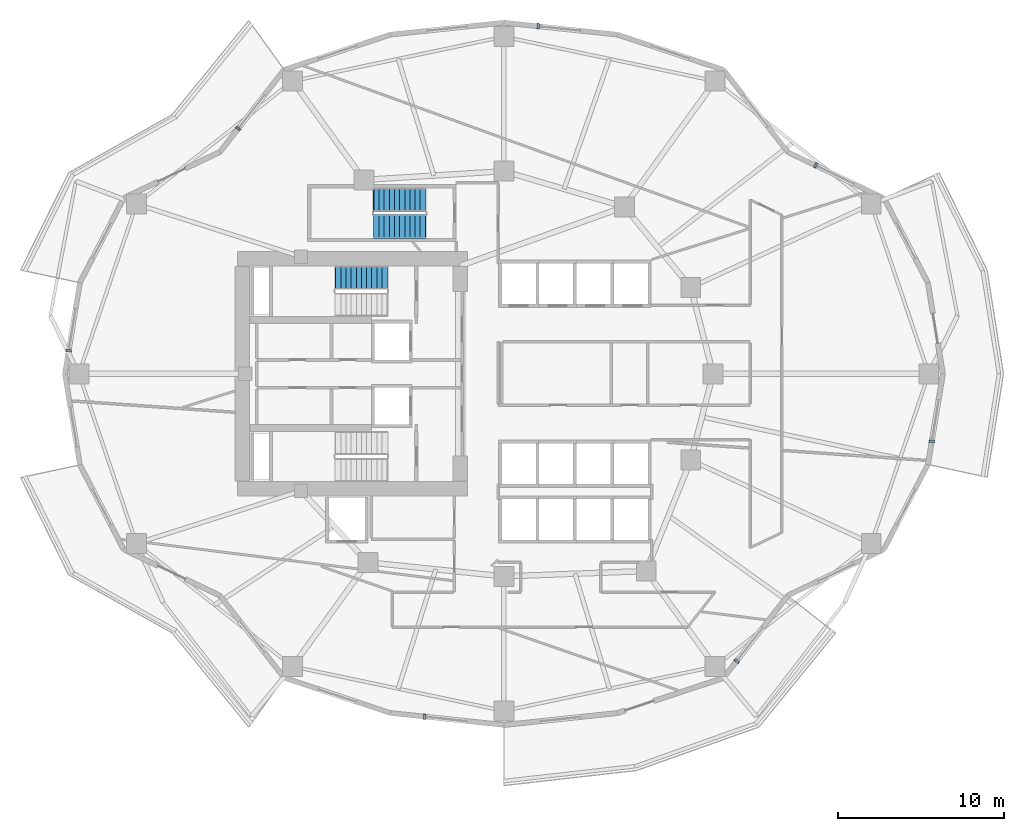
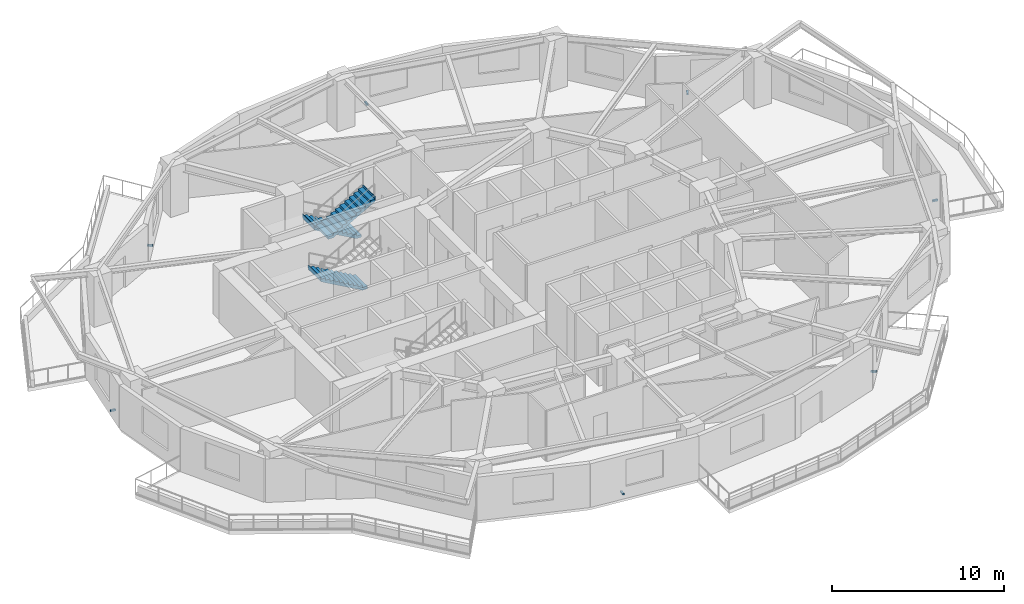
# One storey, part 7 of 11: 7 discrete accessories, 3 stair flights, 2 elements without a shape of their own.
"""IFC4 building model written with IfcOpenShell, lengths in metres."""

import ifcopenshell
import ifcopenshell.guid

model = None  # the IFC model being written
_history = None  # IfcOwnerHistory: only IFC2X3 demands one
_inside = {}  # id of a spatial element -> (the spatial element, [elements in it])
_under = {}  # id of a project, library or spatial element -> (it, [spatial elements below it])
_declared = {}  # id of a project -> (the project, [libraries it declares])
_typed = {}  # id of a type object -> (the type object, [elements of that type])
_made_of = {}  # id of a material, layer set ... -> (it, [elements and type objects made of it])


def new_model(schema):
    """Start an empty IFC model of exactly this schema.

    Asked for "IFC4X3", IfcOpenShell would pick the latest addendum, in which some entities
    have other attributes; the version numbers below select the first issue.
    IFC2X3 requires an IfcOwnerHistory on every rooted entity: one is made here for all.
    """
    global model, _history
    if schema == "IFC4X3":
        model = ifcopenshell.file(schema_version=(4, 3, 0, 0))
    else:
        model = ifcopenshell.file(schema=schema)
    _inside.clear()
    _under.clear()
    _declared.clear()
    _typed.clear()
    _made_of.clear()
    _history = None
    if model.schema == "IFC2X3":
        org = make("IfcOrganization", Name="unknown")
        user = make(
            "IfcPersonAndOrganization",
            ThePerson=make("IfcPerson", FamilyName="unknown"),
            TheOrganization=org,
        )
        app = make(
            "IfcApplication",
            ApplicationDeveloper=org,
            Version="unknown",
            ApplicationFullName="unknown",
            ApplicationIdentifier="unknown",
        )
        _history = make(
            "IfcOwnerHistory",
            OwningUser=user,
            OwningApplication=app,
            ChangeAction="ADDED",
            CreationDate=0,
        )
    return model


def make(cls, **values):
    """One entity of the class cls with the attributes given. An attribute that is None is left unset."""
    return model.create_entity(
        cls, **{name: value for name, value in values.items() if value is not None}
    )


def rooted(cls, **values):
    """An entity with a GlobalId (a new one), such as an element, a storey or a relation."""
    return make(cls, GlobalId=ifcopenshell.guid.new(), OwnerHistory=_history, **values)


def si_unit(unit_type, name, prefix=None):
    """IfcSIUnit, for example si_unit("LENGTHUNIT", "METRE", prefix="MILLI")."""
    return make("IfcSIUnit", UnitType=unit_type, Prefix=prefix, Name=name)


def assignment(units):
    """IfcUnitAssignment: the units of a project."""
    return None if units is None else make("IfcUnitAssignment", Units=units)


def point(xyz):
    """IfcCartesianPoint."""
    return None if xyz is None else make("IfcCartesianPoint", Coordinates=xyz)


def direction(xyz):
    """IfcDirection."""
    return None if xyz is None else make("IfcDirection", DirectionRatios=xyz)


def frame(location, z_axis=None, x_axis=None):
    """IfcAxis2Placement3D, a coordinate frame: its origin and axes. An axis left out is left unset."""
    return make(
        "IfcAxis2Placement3D",
        Location=point(location),
        Axis=direction(z_axis),
        RefDirection=direction(x_axis),
    )


def frame_2d(location, x_axis=None):
    """IfcAxis2Placement2D, a coordinate frame in the plane: its origin and x axis."""
    return make(
        "IfcAxis2Placement2D", Location=point(location), RefDirection=direction(x_axis)
    )


def origin():
    """The frame at (0, 0, 0) with its axes left unset."""
    return frame((0.0, 0.0, 0.0))


def origin_2d():
    """The frame at (0, 0) in the plane with its x axis left unset."""
    return frame_2d((0.0, 0.0))


def place(relative_to, where):
    """IfcLocalPlacement: puts the frame where relative to a parent placement (None: the world)."""
    return make(
        "IfcLocalPlacement", PlacementRelTo=relative_to, RelativePlacement=where
    )


def context(
    kind, dimensions, precision=None, world=None, true_north=None, identifier=None
):
    """IfcGeometricRepresentationContext, for example the 3D "Model" context."""
    return make(
        "IfcGeometricRepresentationContext",
        ContextIdentifier=identifier,
        ContextType=kind,
        CoordinateSpaceDimension=dimensions,
        Precision=precision,
        WorldCoordinateSystem=world,
        TrueNorth=true_north,
    )


def subcontext(parent, identifier, kind, view, scale=None):
    """IfcGeometricRepresentationSubContext, for example "Body" below "Model"."""
    return make(
        "IfcGeometricRepresentationSubContext",
        ContextIdentifier=identifier,
        ContextType=kind,
        ParentContext=parent,
        TargetScale=scale,
        TargetView=view,
    )


def project(units=None, contexts=None):
    """IfcProject with its units and contexts."""
    return rooted(
        "IfcProject",
        Name="project",
        RepresentationContexts=contexts,
        UnitsInContext=assignment(units),
    )


def spatial(cls, under=None, at=None, **own):
    """A site, building, storey or space (cls), placed at a placement, below another one or the project."""
    s = rooted(cls, ObjectPlacement=at, **own)
    if under is not None:
        _under.setdefault(under.id(), (under, []))[1].append(s)
    return s


def polyline(points):
    """IfcPolyline through the points."""
    return make("IfcPolyline", Points=[point(p) for p in points])


def profile(cls, at=None, kind="AREA", **sizes):
    """A parametric profile (cls). Its sizes go by their IFC names, for example OverallWidth=200.0."""
    return make(cls, ProfileType=kind, Position=at, **sizes)


def rectangle(**sizes):
    """IfcRectangleProfileDef."""
    return profile("IfcRectangleProfileDef", **sizes)


def outline(outer, holes=None, kind="AREA"):
    """IfcArbitraryClosedProfileDef: a profile drawn as a closed curve; with holes, ...WithVoids."""
    if holes is None:
        return make("IfcArbitraryClosedProfileDef", ProfileType=kind, OuterCurve=outer)
    return make(
        "IfcArbitraryProfileDefWithVoids",
        ProfileType=kind,
        OuterCurve=outer,
        InnerCurves=holes,
    )


def extrude(swept, where, along, depth):
    """IfcExtrudedAreaSolid: the profile swept, set in the frame where, extruded along a direction by depth."""
    return make(
        "IfcExtrudedAreaSolid",
        SweptArea=swept,
        Position=where,
        ExtrudedDirection=direction(along),
        Depth=depth,
    )


def shape(context_of_items, identifier, shape_type, items):
    """IfcShapeRepresentation: the items that make up one representation, for example the "Body"."""
    return make(
        "IfcShapeRepresentation",
        ContextOfItems=context_of_items,
        RepresentationIdentifier=identifier,
        RepresentationType=shape_type,
        Items=items,
    )


def material(Name=None, Category=None):
    """IfcMaterial."""
    return make("IfcMaterial", Name=Name, Category=Category)


def made_of(thing, what):
    """Note that an element or type object is made of a material, layer set ...; save() writes the relation."""
    if what is not None:
        _made_of.setdefault(what.id(), (what, []))[1].append(thing)
    return thing


def type_object(cls, material=None, **own):
    """A type object (cls), such as IfcWallType, which elements share."""
    return made_of(rooted(cls, **own), material)


def element(
    cls,
    number,
    at=None,
    inside=None,
    cuts=None,
    type_object=None,
    material=None,
    context=None,
    identifier="Body",
    shape_type=None,
    held_by="IfcProductDefinitionShape",
    body=None,
    shapes=None,
    **own,
):
    """One element of the class cls, such as IfcWall. Its Tag is "e" and its number.

    at: its placement. inside: the storey or other place that contains it. cuts: it is an
    opening in that element (IfcRelVoidsElement). A single representation is given by context,
    identifier, shape_type and body (its items); several are given by shapes. held_by: the class
    of the entity that holds the representations. save() writes the other relations.
    """
    e = rooted(cls, Tag="e%d" % number, ObjectPlacement=at, **own)
    if body is not None:
        shapes = [shape(context, identifier, shape_type, body)]
    if shapes is not None:
        e.Representation = make(held_by, Representations=shapes)
    if inside is not None:
        _inside.setdefault(inside.id(), (inside, []))[1].append(e)
    if cuts is not None:
        rooted(
            "IfcRelVoidsElement", RelatingBuildingElement=cuts, RelatedOpeningElement=e
        )
    if type_object is not None:
        _typed.setdefault(type_object.id(), (type_object, []))[1].append(e)
    return made_of(e, material)


def aggregate(whole, parts):
    """IfcRelAggregates: a whole, such as a stair, and the parts it consists of."""
    return rooted("IfcRelAggregates", RelatingObject=whole, RelatedObjects=parts)


def save(model, path):
    """Write the relations noted so far, then the file.

    IfcRelAggregates (storeys below a building ...), IfcRelContainedInSpatialStructure (elements
    in a storey), IfcRelDefinesByType, IfcRelAssociatesMaterial and IfcRelDeclares: one each for
    every whole, place, type object, material and project.
    """
    for whole, parts in _under.values():
        aggregate(whole, parts)
    for where, things in _inside.values():
        rooted(
            "IfcRelContainedInSpatialStructure",
            RelatedElements=things,
            RelatingStructure=where,
        )
    for kind, things in _typed.values():
        rooted("IfcRelDefinesByType", RelatedObjects=things, RelatingType=kind)
    for what, things in _made_of.values():
        rooted("IfcRelAssociatesMaterial", RelatedObjects=things, RelatingMaterial=what)
    for by, libraries in _declared.values():
        rooted("IfcRelDeclares", RelatingContext=by, RelatedDefinitions=libraries)
    model.write(path)


model = new_model("IFC4")

# Units and contexts
model_context = context("Model", 3, precision=1e-05, world=origin(), true_north=direction((0.0, 1.0)))
body_context = subcontext(model_context, "Body", "Model", "MODEL_VIEW")
ifc_project = project(units=[si_unit("LENGTHUNIT", "METRE"), si_unit("AREAUNIT", "SQUARE_METRE"), si_unit("VOLUMEUNIT", "CUBIC_METRE"), si_unit("PLANEANGLEUNIT", "RADIAN"), si_unit("MASSUNIT", "GRAM", prefix="KILO")], contexts=[model_context])

# Site, building, storey
site_placement = place(None, origin())
site = spatial("IfcSite", under=ifc_project, at=site_placement, CompositionType="ELEMENT")
building_placement = place(site_placement, origin())
building = spatial("IfcBuilding", under=site, at=building_placement, Name="Kolvaren Gate Tower and Convention Centre", CompositionType="ELEMENT")
storey_placement = place(building_placement, frame((0.0, 0.0, 80.39990234375)))
storey = spatial("IfcBuildingStorey", under=building, at=storey_placement, Name="L19", CompositionType="ELEMENT", Elevation=80.39990234375)

# Stair, stair flight
ifc_material_1 = material(Name="Concrete C50/60", Category="concrete")
stair_type = type_object("IfcStairType", Name="STR-STAIR-CORE", PredefinedType="HALF_TURN_STAIR", material=ifc_material_1)
stair_1_placement = place(storey_placement, origin())
stair_1 = element("IfcStair", 1, at=stair_1_placement, inside=storey, type_object=stair_type, Name="L19 Tower North Exit Stair ST-T1", PredefinedType="HALF_TURN_STAIR")
stair_flight_type = type_object("IfcStairFlightType", Name="STR-SFL-1420", PredefinedType="STRAIGHT", material=ifc_material_1)
stair_flight_1_placement = place(storey_placement, frame((23.10009765625, 32.7900390625, 0.0), z_axis=(0.0, 0.0, 1.0), x_axis=(-1.0, 0.0, 0.0)))
stair_flight_1 = element("IfcStairFlight", 2, at=stair_flight_1_placement, type_object=stair_flight_type, Name="ST-T1 flight 1", NumberOfRisers=11, NumberOfTreads=10, PredefinedType="STRAIGHT", RiserHeight=0.175, TreadLength=0.31, context=body_context, shape_type="SweptSolid", body=[
    extrude(outline(polyline([(-0.034912109375, 0.0), (-0.034912109375, 0.175048828125), (0.31005859375, 0.175048828125), (0.31005859375, 0.35009765625), (0.6201171875, 0.35009765625), (0.6201171875, 0.52490234375), (0.929931640625, 0.52490234375), (0.929931640625, 0.699951171875), (1.239990234375, 0.699951171875), (1.239990234375, 0.875), (1.550048828125, 0.875), (1.550048828125, 1.050048828125), (1.860107421875, 1.050048828125), (1.860107421875, 1.22509765625), (2.169921875, 1.22509765625), (2.169921875, 1.39990234375), (2.47998046875, 1.39990234375), (2.47998046875, 1.574951171875), (2.7900390625, 1.574951171875), (2.7900390625, 1.75), (3.10009765625, 1.75), (3.10009765625, 1.925048828125), (3.14501953125, 1.925048828125), (3.14501953125, 1.764892578125), (3.10009765625, 1.577880859375), (0.304931640625, 0.0), (-0.034912109375, 0.0)])), frame((0.0, 0.7099609375, 0.0), z_axis=(0.0, -1.0, 0.0), x_axis=(1.0, 0.0, 0.0)), (0.0, 0.0, 1.0), 1.419921875),
])
aggregate(stair_1, [stair_flight_1])

# Stair, stair flights
stair_2_placement = place(storey_placement, origin())
stair_2 = element("IfcStair", 3, at=stair_2_placement, inside=storey, type_object=stair_type, Name="L19 Tower Mid-Zone Exit Stair ST-T3", PredefinedType="HALF_TURN_STAIR")
stair_flight_2_placement = place(storey_placement, frame((25.39990234375, 37.489990234375, 0.0), z_axis=(0.0, 0.0, 1.0), x_axis=(-1.0, 0.0, 0.0)))
stair_flight_2 = element("IfcStairFlight", 4, at=stair_flight_2_placement, type_object=stair_flight_type, Name="ST-T3 flight 1", NumberOfRisers=11, NumberOfTreads=10, PredefinedType="STRAIGHT", RiserHeight=0.175, TreadLength=0.31, context=body_context, shape_type="SweptSolid", body=[
    extrude(outline(polyline([(-0.034912109375, 0.0), (-0.034912109375, 0.175048828125), (0.31005859375, 0.175048828125), (0.31005859375, 0.35009765625), (0.6201171875, 0.35009765625), (0.6201171875, 0.52490234375), (0.929931640625, 0.52490234375), (0.929931640625, 0.699951171875), (1.239990234375, 0.699951171875), (1.239990234375, 0.875), (1.550048828125, 0.875), (1.550048828125, 1.050048828125), (1.860107421875, 1.050048828125), (1.860107421875, 1.22509765625), (2.169921875, 1.22509765625), (2.169921875, 1.39990234375), (2.47998046875, 1.39990234375), (2.47998046875, 1.574951171875), (2.7900390625, 1.574951171875), (2.7900390625, 1.75), (3.10009765625, 1.75), (3.10009765625, 1.925048828125), (3.14501953125, 1.925048828125), (3.14501953125, 1.764892578125), (3.10009765625, 1.577880859375), (0.304931640625, 0.0), (-0.034912109375, 0.0)])), frame((0.0, 0.7099609375, 0.0), z_axis=(0.0, -1.0, 0.0), x_axis=(1.0, 0.0, 0.0)), (0.0, 0.0, 1.0), 1.419921875),
])
stair_flight_3_placement = place(storey_placement, frame((22.300048828125, 35.8701171875, 1.925048828125), z_axis=(0.0, 0.0, 1.0), x_axis=(1.0, 0.0, 0.0)))
stair_flight_3 = element("IfcStairFlight", 5, at=stair_flight_3_placement, type_object=stair_flight_type, Name="ST-T3 flight 2", NumberOfRisers=11, NumberOfTreads=10, PredefinedType="STRAIGHT", RiserHeight=0.175, TreadLength=0.31, context=body_context, shape_type="SweptSolid", body=[
    extrude(outline(polyline([(-0.034912109375, 0.0), (-0.034912109375, 0.175048828125), (0.31005859375, 0.175048828125), (0.31005859375, 0.35009765625), (0.6201171875, 0.35009765625), (0.6201171875, 0.52490234375), (0.929931640625, 0.52490234375), (0.929931640625, 0.699951171875), (1.239990234375, 0.699951171875), (1.239990234375, 0.875), (1.550048828125, 0.875), (1.550048828125, 1.050048828125), (1.860107421875, 1.050048828125), (1.860107421875, 1.22509765625), (2.169921875, 1.22509765625), (2.169921875, 1.39990234375), (2.47998046875, 1.39990234375), (2.47998046875, 1.574951171875), (2.7900390625, 1.574951171875), (2.7900390625, 1.75), (3.10009765625, 1.75), (3.10009765625, 1.925048828125), (3.14501953125, 1.925048828125), (3.14501953125, 1.764892578125), (3.10009765625, 1.577880859375), (0.304931640625, 0.0), (-0.034912109375, 0.0)])), frame((0.0, 0.7099609375, 0.0), z_axis=(0.0, -1.0, 0.0), x_axis=(1.0, 0.0, 0.0)), (0.0, 0.0, 1.0), 1.419921875),
])
aggregate(stair_2, [stair_flight_2, stair_flight_3])

# Discrete accessories
ifc_material_2 = material(Name="Anodized Architectural Aluminium Alloy 6063-T6", Category="aluminium")
discrete_accessory_type = type_object("IfcDiscreteAccessoryType", Name="ARCH-ACC-BRACKET-120", PredefinedType="BRACKET", material=ifc_material_2)
for number, where, z_axis, x_axis, name in (
    (6, (48.89599609375, 39.556640625, 0.2900390625), (0.0, 0.0, 1.0), (0.901357634097, -0.433075530889, 0.0), "Ceramic Fin Wall Anchor Bracket FBK-L19-02"),
    (7, (32.193603515625, 47.93212890625, 0.2900390625), (0.0, 0.0, 1.0), (0.994498884311, -0.104747167526, 0.0), "Ceramic Fin Wall Anchor Bracket FBK-L19-05"),
    (8, (14.127685546875, 41.76708984375, 0.2900390625), (0.0, 0.0, 1.0), (0.61644236478, 0.787400032325, 0.0), "Ceramic Fin Wall Anchor Bracket FBK-L19-08"),
    (9, (3.9169921875, 28.395263671875, 0.2900390625), (0.0, 0.0, 1.0), (0.162375401515, 0.986729055508, 0.0), "Ceramic Fin Wall Anchor Bracket FBK-L19-11"),
    (10, (25.35107421875, 6.352783203125, 0.2900390625), (0.0, 0.0, 1.0), (0.994498884311, -0.104747167526, 0.0), "Ceramic Fin Wall Anchor Bracket FBK-L19-17"),
    (11, (44.138916015625, 9.699462890625, 0.2900390625), (0.0, 0.0, 1.0), (0.616431370541, 0.787408639407, 0.0), "Ceramic Fin Wall Anchor Bracket FBK-L19-20"),
    (12, (55.891357421875, 22.921142578125, 0.2900390625), (0.0, 0.0, 1.0), (0.162375401515, 0.986729055508, 0.0), "Ceramic Fin Wall Anchor Bracket FBK-L19-23"),
):
    element("IfcDiscreteAccessory", number, at=place(storey_placement, frame(where, z_axis=z_axis, x_axis=x_axis)), inside=storey, type_object=discrete_accessory_type, Name=name, PredefinedType="BRACKET", context=body_context, shape_type="SweptSolid", body=[
        extrude(rectangle(XDim=0.1201171875, YDim=0.320068359375, at=origin_2d()), origin(), (0.0, 0.0, 1.0), 0.1201171875),
    ])

save(model, "model.ifc")
